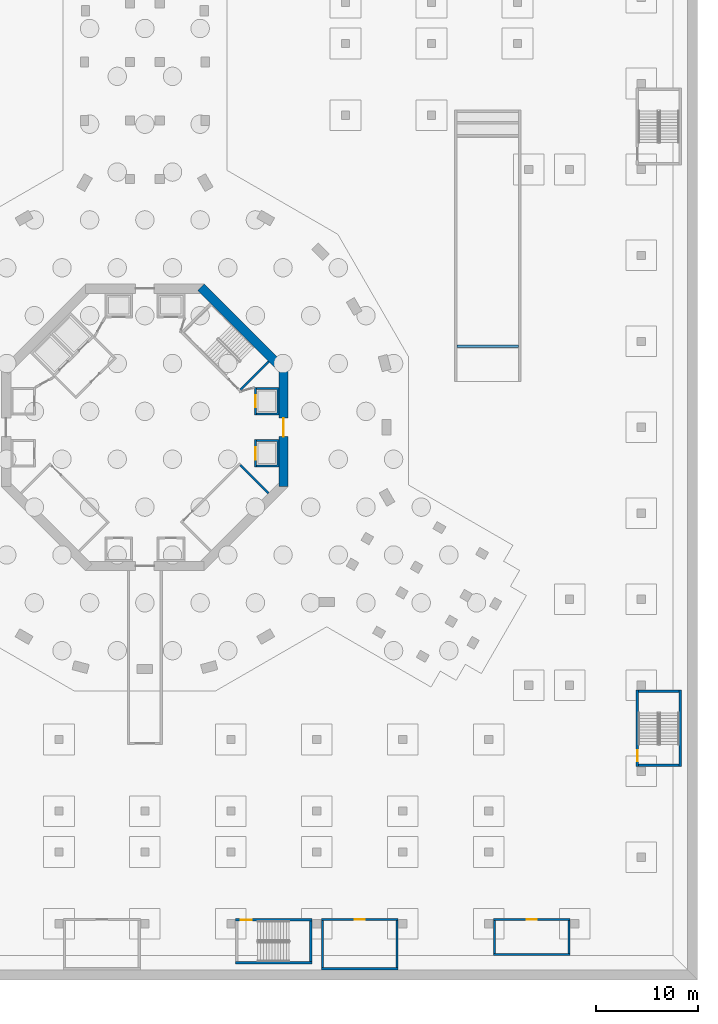
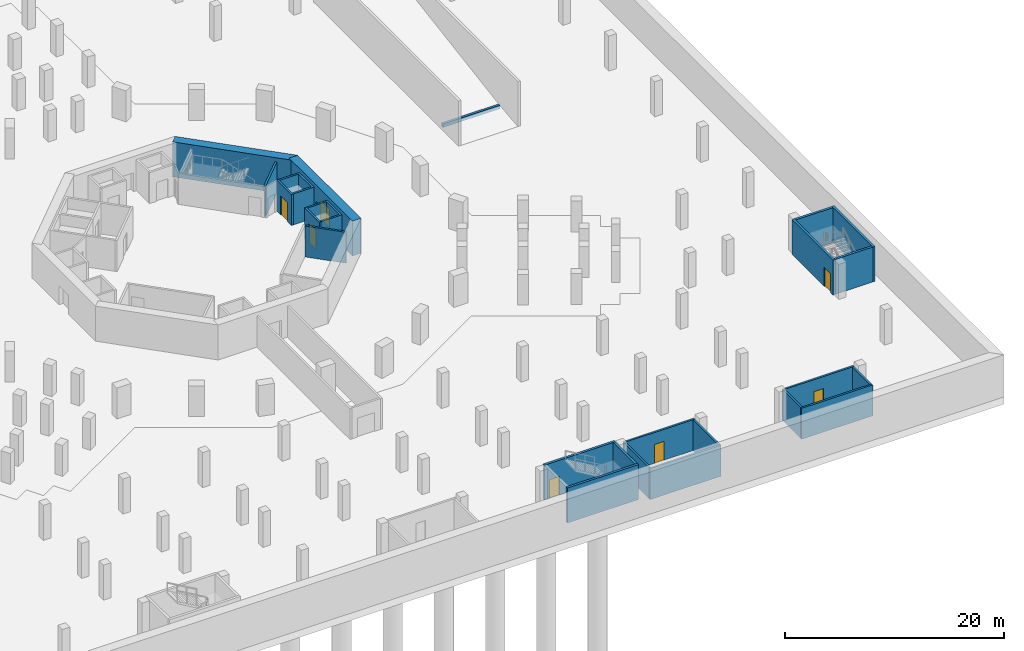
# One storey, part 9 of 27: 24 walls, 7 doors, 7 openings.
"""IFC4 building model written with IfcOpenShell, lengths in metres."""

from ifc_helpers import new_model, si_unit, direction, frame, frame_2d, origin, place, context, subcontext, project, spatial, polyline, rectangle, outline, extrude, material, layer, layer_set, type_object, element, fill, save


model = new_model("IFC4")

# Units and contexts
model_context = context("Model", 3, precision=1e-05, world=origin(), true_north=direction((0.0, 1.0)))
body_context = subcontext(model_context, "Body", "Model", "MODEL_VIEW")
ifc_project = project(units=[si_unit("LENGTHUNIT", "METRE"), si_unit("AREAUNIT", "SQUARE_METRE"), si_unit("VOLUMEUNIT", "CUBIC_METRE"), si_unit("PLANEANGLEUNIT", "RADIAN"), si_unit("MASSUNIT", "GRAM", prefix="KILO")], contexts=[model_context])

# Site, building, storey
site_placement = place(None, origin())
site = spatial("IfcSite", under=ifc_project, at=site_placement, CompositionType="ELEMENT")
building_placement = place(site_placement, origin())
building = spatial("IfcBuilding", under=site, at=building_placement, Name="Verdalira Terraces Hotel", CompositionType="ELEMENT")
storey_placement = place(building_placement, frame((0.0, 0.0, -11.699951)))
storey = spatial("IfcBuildingStorey", under=building, at=storey_placement, Name="B3", CompositionType="ELEMENT", Elevation=-11.699951171875)

# Wall
ifc_material_1 = material(Name="Concrete C50", Category="concrete")
ifc_layer_1 = layer(ifc_material_1, 0.199951171875)
ifc_layer_set_1 = layer_set([ifc_layer_1], Name="Core RC wall 200 C50")
wall_type_1 = type_object("IfcWallType", Name="Core RC wall 200 C50", PredefinedType="SOLIDWALL", material=ifc_layer_set_1)
wall_1_placement = place(storey_placement, origin())
element("IfcWall", 1, at=wall_1_placement, inside=storey, type_object=wall_type_1, Name="B3 shaft wall E1", PredefinedType="SOLIDWALL", context=body_context, shape_type="SweptSolid", body=[
    extrude(outline(polyline([(13.100098, -3.899902), (10.899902, -3.899902), (10.899902, -3.699951), (12.899902, -3.699951), (12.899902, -1.399902), (10.899902, -1.399902), (10.899902, -1.199951), (13.100098, -1.199951), (13.100098, -3.899902)])), origin(), (0.0, 0.0, 1.0), 3.449951),
])

# Wall, opening, door
wall_2_placement = place(storey_placement, frame((10.800049, -1.199951, 0.0), z_axis=(0.0, 0.0, 1.0), x_axis=(0.0, -1.0, 0.0)))
wall_2 = element("IfcWall", 2, at=wall_2_placement, inside=storey, type_object=wall_type_1, Name="B3 shaft front wall E1", PredefinedType="SOLIDWALL", context=body_context, shape_type="SweptSolid", body=[
    extrude(rectangle(XDim=2.699951, YDim=0.199951, at=frame_2d((1.350098, 0.0))), origin(), (0.0, 0.0, 1.0), 3.449951),
])
opening_1_placement = place(wall_2_placement, frame((0.75, 0.0, 0.0)))
opening_1 = element("IfcOpeningElement", 3, at=opening_1_placement, cuts=wall_2, Name="Opening LD-B3-805", PredefinedType="OPENING", context=body_context, shape_type="SweptSolid", body=[
    extrude(rectangle(XDim=1.199951, YDim=2.100098, at=frame_2d((0.600098, 1.050049))), frame((0.0, 0.109863, 0.0), z_axis=(0.0, -1.0, 0.0), x_axis=(1.0, 0.0, 0.0)), (0.0, 0.0, 1.0), 0.219971),
])
ifc_material_2 = material(Name="Stainless steel", Category="steel")
door_type_1 = type_object("IfcDoorType", Name="Landing door 1200 x 2100", OperationType="NOTDEFINED", PredefinedType="DOOR", material=ifc_material_2)
door_1_placement = place(opening_1_placement, origin())
door_1 = element("IfcDoor", 4, at=door_1_placement, inside=storey, type_object=door_type_1, Name="Lift landing door LR1 B3", OperationType="DOUBLE_DOOR_SLIDING", OverallHeight=2.10009765625, OverallWidth=1.199951171875, PredefinedType="DOOR", context=body_context, shape_type="SweptSolid", body=[
    extrude(rectangle(XDim=1.199951, YDim=2.100098, at=frame_2d((0.600098, 1.050049))), frame((0.0, 0.024902, 0.0), z_axis=(0.0, -1.0, 0.0), x_axis=(1.0, 0.0, 0.0)), (0.0, 0.0, 1.0), 0.050049),
])
fill(opening_1, door_1)

# Wall
wall_3_placement = place(storey_placement, origin())
element("IfcWall", 5, at=wall_3_placement, inside=storey, type_object=wall_type_1, Name="B3 shaft wall E2", PredefinedType="SOLIDWALL", context=body_context, shape_type="SweptSolid", body=[
    extrude(outline(polyline([(13.100098, 3.899902), (13.100098, 1.199951), (10.899902, 1.199951), (10.899902, 1.399902), (12.899902, 1.399902), (12.899902, 3.699951), (10.899902, 3.699951), (10.899902, 3.899902), (13.100098, 3.899902)])), origin(), (0.0, 0.0, 1.0), 3.449951),
])

# Wall, opening, door
wall_4_placement = place(storey_placement, frame((10.800049, 1.199951, 0.0), z_axis=(0.0, 0.0, 1.0), x_axis=(0.0, 1.0, 0.0)))
wall_4 = element("IfcWall", 6, at=wall_4_placement, inside=storey, type_object=wall_type_1, Name="B3 shaft front wall E2", PredefinedType="SOLIDWALL", context=body_context, shape_type="SweptSolid", body=[
    extrude(rectangle(XDim=2.699951, YDim=0.199951, at=frame_2d((1.350098, 0.0))), origin(), (0.0, 0.0, 1.0), 3.449951),
])
opening_2_placement = place(wall_4_placement, frame((0.75, 0.0, 0.0)))
opening_2 = element("IfcOpeningElement", 7, at=opening_2_placement, cuts=wall_4, Name="Opening LD-B3-806", PredefinedType="OPENING", context=body_context, shape_type="SweptSolid", body=[
    extrude(rectangle(XDim=1.199951, YDim=2.100098, at=frame_2d((0.600098, 1.050049))), frame((0.0, 0.109863, 0.0), z_axis=(0.0, -1.0, 0.0), x_axis=(1.0, 0.0, 0.0)), (0.0, 0.0, 1.0), 0.219971),
])
door_2_placement = place(opening_2_placement, origin())
door_2 = element("IfcDoor", 8, at=door_2_placement, inside=storey, type_object=door_type_1, Name="Lift landing door LR2 B3", OperationType="DOUBLE_DOOR_SLIDING", OverallHeight=2.10009765625, OverallWidth=1.199951171875, PredefinedType="DOOR", context=body_context, shape_type="SweptSolid", body=[
    extrude(rectangle(XDim=1.199951, YDim=2.100098, at=frame_2d((0.600098, 1.050049))), frame((0.0, 0.024902, 0.0), z_axis=(0.0, -1.0, 0.0), x_axis=(1.0, 0.0, 0.0)), (0.0, 0.0, 1.0), 0.050049),
])
fill(opening_2, door_2)

# Walls
for number, where, z_axis, x_axis, name in (
    (9, (9.33374, 3.677002, 0.0), (0.0, 0.0, 1.0), (0.707106781, 0.707106781, 0.0), "B3 stair ST1 end wall 1"),
    (10, (9.33374, -3.677002, 0.0), (0.0, 0.0, 1.0), (0.707106781, -0.707106781, 0.0), "B3 ST3 plant room wall"),
):
    element("IfcWall", number, at=place(storey_placement, frame(where, z_axis=z_axis, x_axis=x_axis)), inside=storey, type_object=wall_type_1, Name=name, PredefinedType="SOLIDWALL", context=body_context, shape_type="SweptSolid", body=[
        extrude(rectangle(XDim=3.900146, YDim=0.199951, at=frame_2d((1.950195, 0.0))), origin(), (0.0, 0.0, 1.0), 3.449951),
    ])

# Wall, opening, door
ifc_material_3 = material(Name="Concrete C70", Category="concrete")
ifc_layer_2 = layer(ifc_material_3, 0.89990234375)
ifc_layer_set_2 = layer_set([ifc_layer_2], Name="Core wall 900 C70")
wall_type_2 = type_object("IfcWallType", Name="Core wall 900 C70", PredefinedType="SHEAR", material=ifc_layer_set_2)
wall_5_placement = place(storey_placement, frame((13.550049, -5.799072, 0.0), z_axis=(0.0, 0.0, 1.0), x_axis=(0.0, 1.0, 0.0)))
wall_5 = element("IfcWall", 11, at=wall_5_placement, inside=storey, type_object=wall_type_2, Name="Core wall CW-B3-1", PredefinedType="SHEAR", context=body_context, shape_type="SweptSolid", body=[
    extrude(rectangle(XDim=11.598145, YDim=0.899902, at=frame_2d((5.799072, 0.0))), origin(), (0.0, 0.0, 1.0), 3.899902),
])
opening_3_placement = place(wall_5_placement, frame((4.898926, 0.0, 0.0)))
opening_3 = element("IfcOpeningElement", 12, at=opening_3_placement, cuts=wall_5, Name="Opening B3-814", PredefinedType="OPENING", context=body_context, shape_type="SweptSolid", body=[
    extrude(rectangle(XDim=1.800049, YDim=2.100098, at=frame_2d((0.899902, 1.050049))), frame((0.0, 0.459961, 0.0), z_axis=(0.0, -1.0, 0.0), x_axis=(1.0, 0.0, 0.0)), (0.0, 0.0, 1.0), 0.919922),
])
ifc_material_4 = material(Name="Steel fire door", Category="steel")
door_type_2 = type_object("IfcDoorType", Name="Core entry door pair 1800 x 2100", OperationType="NOTDEFINED", PredefinedType="DOOR", material=ifc_material_4)
door_3_placement = place(opening_3_placement, origin())
door_3 = element("IfcDoor", 13, at=door_3_placement, inside=storey, type_object=door_type_2, Name="Core entry door B3 0", OperationType="DOUBLE_DOOR_SINGLE_SWING", OverallHeight=2.10009765625, OverallWidth=1.800048828125, PredefinedType="DOOR", context=body_context, shape_type="SweptSolid", body=[
    extrude(rectangle(XDim=1.800049, YDim=2.100098, at=frame_2d((0.899902, 1.050049))), frame((0.0, 0.024902, 0.0), z_axis=(0.0, -1.0, 0.0), x_axis=(1.0, 0.0, 0.0)), (0.0, 0.0, 1.0), 0.050049),
])
fill(opening_3, door_3)

# Walls
wall_6_placement = place(storey_placement, frame((13.681885, 5.480713, 0.0), z_axis=(0.0, 0.0, 1.0), x_axis=(-0.707106781, 0.707106781, 0.0)))
element("IfcWall", 14, at=wall_6_placement, inside=storey, type_object=wall_type_2, Name="Core wall CW-B3-2", PredefinedType="SHEAR", context=body_context, shape_type="SweptSolid", body=[
    extrude(rectangle(XDim=11.598145, YDim=0.899902, at=frame_2d((5.799072, 0.0))), origin(), (0.0, 0.0, 1.0), 3.899902),
])
ifc_material_5 = material(Name="Concrete C40", Category="concrete")
ifc_layer_3 = layer(ifc_material_5, 0.25)
ifc_layer_set_3 = layer_set([ifc_layer_3], Name="Ramp lower joint wall 250 C40")
wall_type_3 = type_object("IfcWallType", Name="Ramp lower joint wall 250 C40", PredefinedType="SOLIDWALL", material=ifc_layer_set_3)
wall_7_placement = place(storey_placement, frame((36.5, 7.90918, 0.0), z_axis=(0.0, 0.0, 1.0), x_axis=(-1.0, 0.0, 0.0)))
element("IfcWall", 15, at=wall_7_placement, inside=storey, type_object=wall_type_3, Name="Ramp from B2 to B3 lower joint wall", PredefinedType="SOLIDWALL", context=body_context, shape_type="SweptSolid", body=[
    extrude(rectangle(XDim=6.0, YDim=0.25, at=frame_2d((3.0, 0.0))), origin(), (0.0, 0.0, 1.0), 0.395264),
])

# Wall, opening, door
ifc_material_6 = material(Name="Concrete C40", Category="concrete")
ifc_layer_4 = layer(ifc_material_6, 0.199951171875)
ifc_layer_set_4 = layer_set([ifc_layer_4], Name="Service room wall 200 C40")
wall_type_4 = type_object("IfcWallType", Name="Service room wall 200 C40", PredefinedType="PARTITIONING", material=ifc_layer_set_4)
wall_8_placement = place(storey_placement, frame((17.25, -48.100098, 0.0), z_axis=(0.0, 0.0, 1.0), x_axis=(1.0, 0.0, 0.0)))
wall_8 = element("IfcWall", 16, at=wall_8_placement, inside=storey, type_object=wall_type_4, Name="Pump room wall", PredefinedType="PARTITIONING", context=body_context, shape_type="SweptSolid", body=[
    extrude(rectangle(XDim=7.5, YDim=0.199951, at=frame_2d((3.75, 0.0))), origin(), (0.0, 0.0, 1.0), 3.449951),
])
opening_4_placement = place(wall_8_placement, frame((3.25, 0.0, 0.0)))
opening_4 = element("IfcOpeningElement", 17, at=opening_4_placement, cuts=wall_8, Name="Opening B3-D609", PredefinedType="OPENING", context=body_context, shape_type="SweptSolid", body=[
    extrude(rectangle(XDim=1.0, YDim=2.100098, at=frame_2d((0.5, 1.050049))), frame((0.0, 0.109863, 0.0), z_axis=(0.0, -1.0, 0.0), x_axis=(1.0, 0.0, 0.0)), (0.0, 0.0, 1.0), 0.219971),
])
ifc_material_7 = material(Name="Steel fire door", Category="steel")
door_type_3 = type_object("IfcDoorType", Name="Service room door 1000 x 2100", OperationType="SINGLE_SWING_LEFT", PredefinedType="DOOR", material=ifc_material_7)
door_4_placement = place(opening_4_placement, origin())
door_4 = element("IfcDoor", 18, at=door_4_placement, inside=storey, type_object=door_type_3, Name="Pump room door", OperationType="SINGLE_SWING_RIGHT", OverallHeight=2.10009765625, OverallWidth=1.0, PredefinedType="DOOR", context=body_context, shape_type="SweptSolid", body=[
    extrude(rectangle(XDim=1.0, YDim=2.100098, at=frame_2d((0.5, 1.050049))), frame((0.0, 0.024902, 0.0), z_axis=(0.0, -1.0, 0.0), x_axis=(1.0, 0.0, 0.0)), (0.0, 0.0, 1.0), 0.050049),
])
fill(opening_4, door_4)

# Walls
wall_9_placement = place(storey_placement, frame((17.25, -52.899902, 0.0), z_axis=(0.0, 0.0, 1.0), x_axis=(1.0, 0.0, 0.0)))
element("IfcWall", 19, at=wall_9_placement, inside=storey, type_object=wall_type_4, Name="Pump room wall", PredefinedType="PARTITIONING", context=body_context, shape_type="SweptSolid", body=[
    extrude(rectangle(XDim=7.5, YDim=0.199951, at=frame_2d((3.75, 0.0))), origin(), (0.0, 0.0, 1.0), 3.449951),
])
for number, where, z_axis, x_axis, name in (
    (20, (17.350098, -52.800049, 0.0), (0.0, 0.0, 1.0), (0.0, 1.0, 0.0), "Pump room wall"),
    (21, (24.649902, -52.800049, 0.0), (0.0, 0.0, 1.0), (0.0, 1.0, 0.0), "Pump room wall"),
):
    element("IfcWall", number, at=place(storey_placement, frame(where, z_axis=z_axis, x_axis=x_axis)), inside=storey, type_object=wall_type_4, Name=name, PredefinedType="PARTITIONING", context=body_context, shape_type="SweptSolid", body=[
        extrude(rectangle(XDim=4.600098, YDim=0.199951, at=frame_2d((2.300049, 0.0))), origin(), (0.0, 0.0, 1.0), 3.449951),
    ])

# Wall, opening, door
wall_10_placement = place(storey_placement, frame((34.050049, -48.100098, 0.0), z_axis=(0.0, 0.0, 1.0), x_axis=(1.0, 0.0, 0.0)))
wall_10 = element("IfcWall", 22, at=wall_10_placement, inside=storey, type_object=wall_type_4, Name="Store wall", PredefinedType="PARTITIONING", context=body_context, shape_type="SweptSolid", body=[
    extrude(rectangle(XDim=7.5, YDim=0.199951, at=frame_2d((3.75, 0.0))), origin(), (0.0, 0.0, 1.0), 3.449951),
])
opening_5_placement = place(wall_10_placement, frame((3.25, 0.0, 0.0)))
opening_5 = element("IfcOpeningElement", 23, at=opening_5_placement, cuts=wall_10, Name="Opening B3-D612", PredefinedType="OPENING", context=body_context, shape_type="SweptSolid", body=[
    extrude(rectangle(XDim=1.0, YDim=2.100098, at=frame_2d((0.5, 1.050049))), frame((0.0, 0.109863, 0.0), z_axis=(0.0, -1.0, 0.0), x_axis=(1.0, 0.0, 0.0)), (0.0, 0.0, 1.0), 0.219971),
])
door_5_placement = place(opening_5_placement, origin())
door_5 = element("IfcDoor", 24, at=door_5_placement, inside=storey, type_object=door_type_3, Name="Store door", OperationType="SINGLE_SWING_LEFT", OverallHeight=2.10009765625, OverallWidth=1.0, PredefinedType="DOOR", context=body_context, shape_type="SweptSolid", body=[
    extrude(rectangle(XDim=1.0, YDim=2.100098, at=frame_2d((0.5, 1.050049))), frame((0.0, 0.024902, 0.0), z_axis=(0.0, -1.0, 0.0), x_axis=(1.0, 0.0, 0.0)), (0.0, 0.0, 1.0), 0.050049),
])
fill(opening_5, door_5)

# Walls
wall_11_placement = place(storey_placement, frame((34.050049, -51.5, 0.0), z_axis=(0.0, 0.0, 1.0), x_axis=(1.0, 0.0, 0.0)))
element("IfcWall", 25, at=wall_11_placement, inside=storey, type_object=wall_type_4, Name="Store wall", PredefinedType="PARTITIONING", context=body_context, shape_type="SweptSolid", body=[
    extrude(rectangle(XDim=7.5, YDim=0.199951, at=frame_2d((3.75, 0.0))), origin(), (0.0, 0.0, 1.0), 3.449951),
])
for number, where, z_axis, x_axis, name in (
    (26, (34.149902, -51.399902, 0.0), (0.0, 0.0, 1.0), (0.0, 1.0, 0.0), "Store wall"),
    (27, (41.449951, -51.399902, 0.0), (0.0, 0.0, 1.0), (0.0, 1.0, 0.0), "Store wall"),
):
    element("IfcWall", number, at=place(storey_placement, frame(where, z_axis=z_axis, x_axis=x_axis)), inside=storey, type_object=wall_type_4, Name=name, PredefinedType="PARTITIONING", context=body_context, shape_type="SweptSolid", body=[
        extrude(rectangle(XDim=3.199951, YDim=0.199951, at=frame_2d((1.600098, 0.0))), origin(), (0.0, 0.0, 1.0), 3.449951),
    ])

# Wall, opening, door
ifc_material_8 = material(Name="Concrete C40", Category="concrete")
ifc_layer_5 = layer(ifc_material_8, 0.25)
ifc_layer_set_5 = layer_set([ifc_layer_5], Name="Stair enclosure wall 250 C40")
wall_type_5 = type_object("IfcWallType", Name="Stair enclosure wall 250 C40", PredefinedType="SOLIDWALL", material=ifc_layer_set_5)
wall_12_placement = place(storey_placement, frame((48.125, -33.149902, 0.0), z_axis=(0.0, 0.0, 1.0), x_axis=(0.0, 1.0, 0.0)))
wall_12 = element("IfcWall", 28, at=wall_12_placement, inside=storey, type_object=wall_type_5, Name="Stair BS2 enclosure wall", PredefinedType="SOLIDWALL", context=body_context, shape_type="SweptSolid", body=[
    extrude(rectangle(XDim=7.5, YDim=0.25, at=frame_2d((3.75, 0.0))), origin(), (0.0, 0.0, 1.0), 3.899902),
])
opening_6_placement = place(wall_12_placement, frame((0.5, 0.0, 0.0)))
opening_6 = element("IfcOpeningElement", 29, at=opening_6_placement, cuts=wall_12, Name="Opening B3-D602", PredefinedType="OPENING", context=body_context, shape_type="SweptSolid", body=[
    extrude(rectangle(XDim=1.100098, YDim=2.100098, at=frame_2d((0.550049, 1.050049))), frame((0.0, 0.13501, 0.0), z_axis=(0.0, -1.0, 0.0), x_axis=(1.0, 0.0, 0.0)), (0.0, 0.0, 1.0), 0.27002),
])
ifc_material_9 = material(Name="Steel fire door", Category="steel")
door_type_4 = type_object("IfcDoorType", Name="Stair door 1100 x 2100", OperationType="SINGLE_SWING_LEFT", PredefinedType="DOOR", material=ifc_material_9)
door_6_placement = place(opening_6_placement, origin())
door_6 = element("IfcDoor", 30, at=door_6_placement, inside=storey, type_object=door_type_4, Name="Stair BS2 door", OperationType="SINGLE_SWING_RIGHT", OverallHeight=2.10009765625, OverallWidth=1.10009765625, PredefinedType="DOOR", context=body_context, shape_type="SweptSolid", body=[
    extrude(rectangle(XDim=1.100098, YDim=2.100098, at=frame_2d((0.550049, 1.050049))), frame((0.0, 0.024902, 0.0), z_axis=(0.0, -1.0, 0.0), x_axis=(1.0, 0.0, 0.0)), (0.0, 0.0, 1.0), 0.050049),
])
fill(opening_6, door_6)

# Walls
wall_13_placement = place(storey_placement, frame((52.324951, -33.149902, 0.0), z_axis=(0.0, 0.0, 1.0), x_axis=(0.0, 1.0, 0.0)))
element("IfcWall", 31, at=wall_13_placement, inside=storey, type_object=wall_type_5, Name="Stair BS2 enclosure wall", PredefinedType="SOLIDWALL", context=body_context, shape_type="SweptSolid", body=[
    extrude(rectangle(XDim=7.5, YDim=0.25, at=frame_2d((3.75, 0.0))), origin(), (0.0, 0.0, 1.0), 3.899902),
])
for number, where, z_axis, x_axis, name in (
    (32, (52.199951, -33.024902, 0.0), (0.0, 0.0, 1.0), (-1.0, 0.0, 0.0), "Stair BS2 enclosure wall"),
    (33, (52.199951, -25.774902, 0.0), (0.0, 0.0, 1.0), (-1.0, 0.0, 0.0), "Stair BS2 enclosure wall"),
):
    element("IfcWall", number, at=place(storey_placement, frame(where, z_axis=z_axis, x_axis=x_axis)), inside=storey, type_object=wall_type_5, Name=name, PredefinedType="SOLIDWALL", context=body_context, shape_type="SweptSolid", body=[
        extrude(rectangle(XDim=3.949951, YDim=0.25, at=frame_2d((1.975098, 0.0))), origin(), (0.0, 0.0, 1.0), 3.899902),
    ])

# Wall, opening, door
wall_14_placement = place(storey_placement, frame((8.850098, -48.125, 0.0), z_axis=(0.0, 0.0, 1.0), x_axis=(1.0, 0.0, 0.0)))
wall_14 = element("IfcWall", 34, at=wall_14_placement, inside=storey, type_object=wall_type_5, Name="Stair BS6 enclosure wall", PredefinedType="SOLIDWALL", context=body_context, shape_type="SweptSolid", body=[
    extrude(rectangle(XDim=7.5, YDim=0.25, at=frame_2d((3.75, 0.0))), origin(), (0.0, 0.0, 1.0), 3.899902),
])
opening_7_placement = place(wall_14_placement, frame((0.5, 0.0, 0.0)))
opening_7 = element("IfcOpeningElement", 35, at=opening_7_placement, cuts=wall_14, Name="Opening B3-D606", PredefinedType="OPENING", context=body_context, shape_type="SweptSolid", body=[
    extrude(rectangle(XDim=1.100098, YDim=2.100098, at=frame_2d((0.550049, 1.050049))), frame((0.0, 0.13501, 0.0), z_axis=(0.0, -1.0, 0.0), x_axis=(1.0, 0.0, 0.0)), (0.0, 0.0, 1.0), 0.27002),
])
door_7_placement = place(opening_7_placement, origin())
door_7 = element("IfcDoor", 36, at=door_7_placement, inside=storey, type_object=door_type_4, Name="Stair BS6 door", OperationType="SINGLE_SWING_RIGHT", OverallHeight=2.10009765625, OverallWidth=1.10009765625, PredefinedType="DOOR", context=body_context, shape_type="SweptSolid", body=[
    extrude(rectangle(XDim=1.100098, YDim=2.100098, at=frame_2d((0.550049, 1.050049))), frame((0.0, 0.024902, 0.0), z_axis=(0.0, -1.0, 0.0), x_axis=(1.0, 0.0, 0.0)), (0.0, 0.0, 1.0), 0.050049),
])
fill(opening_7, door_7)

# Walls
wall_15_placement = place(storey_placement, frame((8.850098, -52.324951, 0.0), z_axis=(0.0, 0.0, 1.0), x_axis=(1.0, 0.0, 0.0)))
element("IfcWall", 37, at=wall_15_placement, inside=storey, type_object=wall_type_5, Name="Stair BS6 enclosure wall", PredefinedType="SOLIDWALL", context=body_context, shape_type="SweptSolid", body=[
    extrude(rectangle(XDim=7.5, YDim=0.25, at=frame_2d((3.75, 0.0))), origin(), (0.0, 0.0, 1.0), 3.899902),
])
wall_16_placement = place(storey_placement, frame((16.225098, -52.199951, 0.0), z_axis=(0.0, 0.0, 1.0), x_axis=(0.0, 1.0, 0.0)))
element("IfcWall", 38, at=wall_16_placement, inside=storey, type_object=wall_type_5, Name="Stair BS6 enclosure wall", PredefinedType="SOLIDWALL", context=body_context, shape_type="SweptSolid", body=[
    extrude(rectangle(XDim=3.949951, YDim=0.25, at=frame_2d((1.975098, 0.0))), origin(), (0.0, 0.0, 1.0), 3.899902),
])

save(model, "model.ifc")
